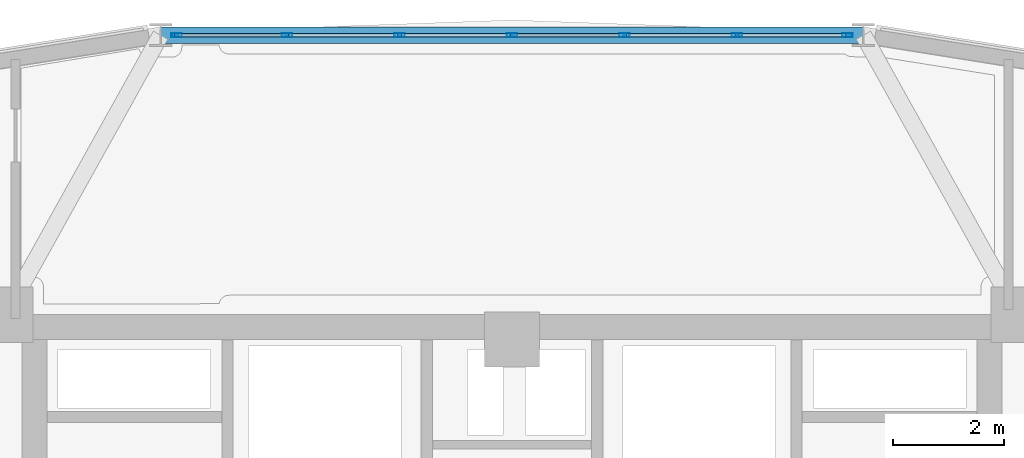
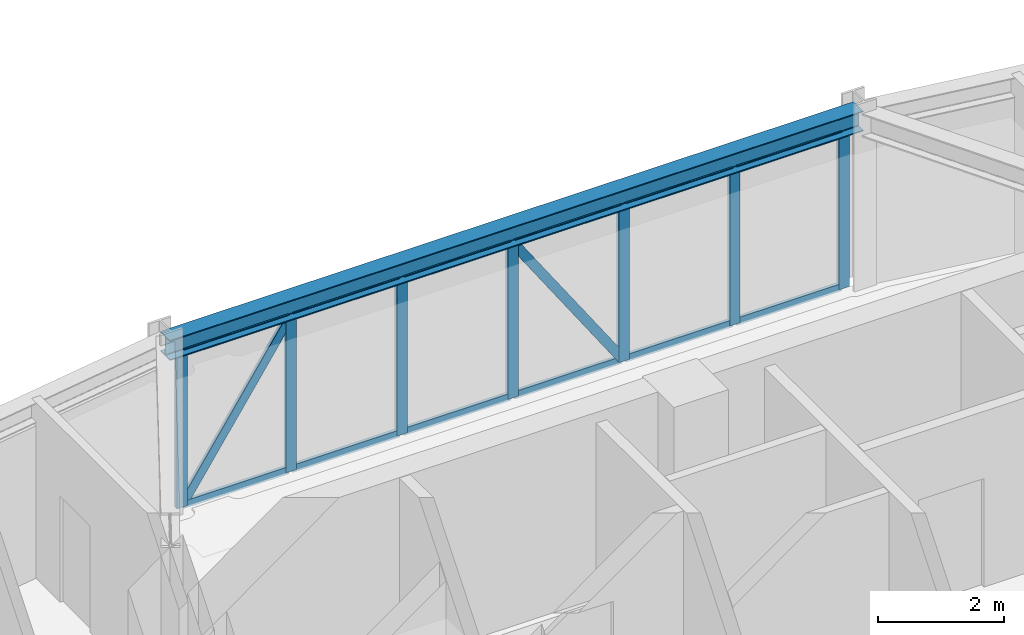
# One storey, part 8 of 14: 21 members, 1 beam, 1 element without a shape of its own.
"""IFC4 building model written with IfcOpenShell, lengths in metres."""

from ifc_helpers import new_model, si_unit, derived_unit, direction, frame, origin, origin_2d, place, context, subcontext, project, spatial, hollow_rectangle, i_section, extrude, source, transform, mapped, material, layer, layer_set, material_profile, profile_set, type_object, element, aggregate, save


model = new_model("IFC4")

# Units and contexts
model_context = context("Model", 3, precision=1e-05, world=origin(), true_north=direction((0.0, 1.0)))
body_context = subcontext(model_context, "Body", "Model", "MODEL_VIEW")
ifc_project = project(units=[si_unit("LENGTHUNIT", "METRE"), si_unit("AREAUNIT", "SQUARE_METRE"), si_unit("VOLUMEUNIT", "CUBIC_METRE"), si_unit("PLANEANGLEUNIT", "RADIAN"), si_unit("MASSUNIT", "GRAM", prefix="KILO"), derived_unit("THERMALTRANSMITTANCEUNIT", [(si_unit("POWERUNIT", "WATT"), 1), (si_unit("LENGTHUNIT", "METRE"), -2), (si_unit("THERMODYNAMICTEMPERATUREUNIT", "KELVIN"), -1)])], contexts=[model_context])

# Site, building, storey
site_placement = place(None, origin())
site = spatial("IfcSite", under=ifc_project, at=site_placement, CompositionType="ELEMENT")
building_placement = place(site_placement, origin())
building = spatial("IfcBuilding", under=site, at=building_placement, Name="Korsvarv Bourse and Concert Hall", CompositionType="ELEMENT")
storey_placement = place(building_placement, frame((0.0, 0.0, 172.199951171875)))
storey = spatial("IfcBuildingStorey", under=building, at=storey_placement, Name="L44", CompositionType="ELEMENT", Elevation=172.199951171875)

# Beam
ifc_material_1 = material(Name="Steel S355", Category="steel")
ifc_material_profile_1 = material_profile(ifc_material_1, i_section(OverallWidth=0.300048828125, OverallDepth=0.389892578125, WebThickness=0.010986328125, FlangeThickness=0.01904296875, FilletRadius=0.02099609375, at=origin_2d()), Name="HEA 400")
ifc_profile_set_1 = profile_set([ifc_material_profile_1], Name="Steel S355")
beam_type = type_object("IfcBeamType", Name="BM-HEA400", PredefinedType="BEAM", material=ifc_profile_set_1)
shared_shape_1 = source(origin(), body_context, "Body", "SweptSolid", [
    extrude(i_section(OverallWidth=0.300048828125, OverallDepth=0.389892578125, WebThickness=0.010986328125, FlangeThickness=0.01904296875, FilletRadius=0.02099609375, at=origin_2d()), origin(), (0.0, 0.0, 1.0), 12.69189453125),
])
beam_placement = place(storey_placement, frame((42.345947265625, 52.2958984375, 3.205078125), z_axis=(-1.0, 0.0, 0.0), x_axis=(0.0, -1.0, 0.0)))
element("IfcBeam", 1, at=beam_placement, inside=storey, type_object=beam_type, Name="L44 beam B-11", PredefinedType="BEAM", context=body_context, shape_type="MappedRepresentation", body=[
    mapped(shared_shape_1, transform((0.0, 0.0, 0.0), scale=1.0)),
])

# Curtain wall, members
ifc_material_2 = material(Name="Anodised aluminium and triple low-E glazing", Category="glass")
ifc_layer = layer(ifc_material_2, 0.199951171875)
ifc_layer_set = layer_set([ifc_layer], Name="Anodised aluminium and triple low-E glazing")
curtain_wall_type = type_object("IfcCurtainWallType", Name="CW-SYS-3", PredefinedType="NOTDEFINED", material=ifc_layer_set)
curtain_wall_placement = place(storey_placement, origin())
curtain_wall = element("IfcCurtainWall", 2, at=curtain_wall_placement, inside=storey, type_object=curtain_wall_type, Name="L44 CW3 curtain wall CW-L44-F03", PredefinedType="NOTDEFINED")
ifc_material_3 = material(Name="Extruded aluminium EN AW-6063 T66", Category="aluminium")
ifc_material_profile_2 = material_profile(ifc_material_3, hollow_rectangle(XDim=0.070068359375, YDim=0.18994140625, WallThickness=0.0048828125, at=origin_2d()), Name="ALU-M 70x190")
ifc_profile_set_2 = profile_set([ifc_material_profile_2], Name="Extruded aluminium EN AW-6063 T66")
member_type_1 = type_object("IfcMemberType", Name="CWM-190", PredefinedType="MULLION", material=ifc_profile_set_2)
shared_shape_2 = source(origin(), body_context, "Body", "SweptSolid", [
    extrude(hollow_rectangle(XDim=0.070068359375, YDim=0.18994140625, WallThickness=0.0048828125, at=origin_2d()), origin(), (0.0, 0.0, 1.0), 3.010009765625),
])
member_1_placement = place(storey_placement, frame((42.05810546875, 52.2958984375, 0.0), z_axis=(0.0, 0.0, 1.0), x_axis=(0.0, -1.0, 0.0)))
member_1 = element("IfcMember", 3, at=member_1_placement, type_object=member_type_1, Name="CW3 mullion 1", PredefinedType="MULLION", context=body_context, shape_type="MappedRepresentation", body=[
    mapped(shared_shape_2, transform((0.0, 0.0, 0.0), scale=1.0)),
])
member_2_placement = place(storey_placement, frame((40.06201171875, 52.2958984375, 0.0), z_axis=(0.0, 0.0, 1.0), x_axis=(0.0, -1.0, 0.0)))
member_2 = element("IfcMember", 4, at=member_2_placement, type_object=member_type_1, Name="CW3 mullion 2", PredefinedType="MULLION", context=body_context, shape_type="MappedRepresentation", body=[
    mapped(shared_shape_2, transform((0.0, 0.0, 0.0), scale=1.0)),
])
member_3_placement = place(storey_placement, frame((38.031005859375, 52.2958984375, 0.0), z_axis=(0.0, 0.0, 1.0), x_axis=(0.0, -1.0, 0.0)))
member_3 = element("IfcMember", 5, at=member_3_placement, type_object=member_type_1, Name="CW3 mullion 3", PredefinedType="MULLION", context=body_context, shape_type="MappedRepresentation", body=[
    mapped(shared_shape_2, transform((0.0, 0.0, 0.0), scale=1.0)),
])
member_4_placement = place(storey_placement, frame((36.0, 52.2958984375, 0.0), z_axis=(0.0, 0.0, 1.0), x_axis=(0.0, -1.0, 0.0)))
member_4 = element("IfcMember", 6, at=member_4_placement, type_object=member_type_1, Name="CW3 mullion 4", PredefinedType="MULLION", context=body_context, shape_type="MappedRepresentation", body=[
    mapped(shared_shape_2, transform((0.0, 0.0, 0.0), scale=1.0)),
])
member_5_placement = place(storey_placement, frame((33.968994140625, 52.2958984375, 0.0), z_axis=(0.0, 0.0, 1.0), x_axis=(0.0, -1.0, 0.0)))
member_5 = element("IfcMember", 7, at=member_5_placement, type_object=member_type_1, Name="CW3 mullion 5", PredefinedType="MULLION", context=body_context, shape_type="MappedRepresentation", body=[
    mapped(shared_shape_2, transform((0.0, 0.0, 0.0), scale=1.0)),
])
member_6_placement = place(storey_placement, frame((31.93798828125, 52.2958984375, 0.0), z_axis=(0.0, 0.0, 1.0), x_axis=(0.0, -1.0, 0.0)))
member_6 = element("IfcMember", 8, at=member_6_placement, type_object=member_type_1, Name="CW3 mullion 6", PredefinedType="MULLION", context=body_context, shape_type="MappedRepresentation", body=[
    mapped(shared_shape_2, transform((0.0, 0.0, 0.0), scale=1.0)),
])
member_7_placement = place(storey_placement, frame((29.94189453125, 52.2958984375, 0.0), z_axis=(0.0, 0.0, 1.0), x_axis=(0.0, -1.0, 0.0)))
member_7 = element("IfcMember", 9, at=member_7_placement, type_object=member_type_1, Name="CW3 mullion 7", PredefinedType="MULLION", context=body_context, shape_type="MappedRepresentation", body=[
    mapped(shared_shape_2, transform((0.0, 0.0, 0.0), scale=1.0)),
])
ifc_material_profile_3 = material_profile(ifc_material_3, hollow_rectangle(XDim=0.06494140625, YDim=0.139892578125, WallThickness=0.00390625, at=origin_2d()), Name="ALU-T 65x140")
ifc_profile_set_3 = profile_set([ifc_material_profile_3], Name="Extruded aluminium EN AW-6063 T66")
member_type_2 = type_object("IfcMemberType", Name="CWT-140", PredefinedType="USERDEFINED", material=ifc_profile_set_3)
shared_shape_3 = source(origin(), body_context, "Body", "SweptSolid", [
    extrude(hollow_rectangle(XDim=0.06494140625, YDim=0.139892578125, WallThickness=0.00390625, at=origin_2d()), origin(), (0.0, 0.0, 1.0), 1.926025390625),
])
member_8_placement = place(storey_placement, frame((42.02294921875, 52.2958984375, 0.032470703125), z_axis=(-1.0, 0.0, 0.0), x_axis=(0.0, -1.0, 0.0)))
member_8 = element("IfcMember", 10, at=member_8_placement, type_object=member_type_2, Name="CW3 transom 1.1", ObjectType="TRANSOM", PredefinedType="USERDEFINED", context=body_context, shape_type="MappedRepresentation", body=[
    mapped(shared_shape_3, transform((0.0, 0.0, 0.0), scale=1.0)),
])
member_9_placement = place(storey_placement, frame((42.02294921875, 52.2958984375, 2.9775390625), z_axis=(-1.0, 0.0, 0.0), x_axis=(0.0, -1.0, 0.0)))
member_9 = element("IfcMember", 11, at=member_9_placement, type_object=member_type_2, Name="CW3 transom 1.2", ObjectType="TRANSOM", PredefinedType="USERDEFINED", context=body_context, shape_type="MappedRepresentation", body=[
    mapped(shared_shape_3, transform((0.0, 0.0, 0.0), scale=1.0)),
])
member_10_placement = place(storey_placement, frame((31.903076171875, 52.2958984375, 0.032470703125), z_axis=(-1.0, 0.0, 0.0), x_axis=(0.0, -1.0, 0.0)))
member_10 = element("IfcMember", 12, at=member_10_placement, type_object=member_type_2, Name="CW3 transom 6.1", ObjectType="TRANSOM", PredefinedType="USERDEFINED", context=body_context, shape_type="MappedRepresentation", body=[
    mapped(shared_shape_3, transform((0.0, 0.0, 0.0), scale=1.0)),
])
member_11_placement = place(storey_placement, frame((31.903076171875, 52.2958984375, 2.9775390625), z_axis=(-1.0, 0.0, 0.0), x_axis=(0.0, -1.0, 0.0)))
member_11 = element("IfcMember", 13, at=member_11_placement, type_object=member_type_2, Name="CW3 transom 6.2", ObjectType="TRANSOM", PredefinedType="USERDEFINED", context=body_context, shape_type="MappedRepresentation", body=[
    mapped(shared_shape_3, transform((0.0, 0.0, 0.0), scale=1.0)),
])
shared_shape_4 = source(origin(), body_context, "Body", "SweptSolid", [
    extrude(hollow_rectangle(XDim=0.06494140625, YDim=0.139892578125, WallThickness=0.00390625, at=origin_2d()), origin(), (0.0, 0.0, 1.0), 1.961181640625),
])
member_12_placement = place(storey_placement, frame((40.027099609375, 52.2958984375, 0.032470703125), z_axis=(-1.0, 0.0, 0.0), x_axis=(0.0, -1.0, 0.0)))
member_12 = element("IfcMember", 14, at=member_12_placement, type_object=member_type_2, Name="CW3 transom 2.1", ObjectType="TRANSOM", PredefinedType="USERDEFINED", context=body_context, shape_type="MappedRepresentation", body=[
    mapped(shared_shape_4, transform((0.0, 0.0, 0.0), scale=1.0)),
])
member_13_placement = place(storey_placement, frame((40.027099609375, 52.2958984375, 2.9775390625), z_axis=(-1.0, 0.0, 0.0), x_axis=(0.0, -1.0, 0.0)))
member_13 = element("IfcMember", 15, at=member_13_placement, type_object=member_type_2, Name="CW3 transom 2.2", ObjectType="TRANSOM", PredefinedType="USERDEFINED", context=body_context, shape_type="MappedRepresentation", body=[
    mapped(shared_shape_4, transform((0.0, 0.0, 0.0), scale=1.0)),
])
member_14_placement = place(storey_placement, frame((37.99609375, 52.2958984375, 0.032470703125), z_axis=(-1.0, 0.0, 0.0), x_axis=(0.0, -1.0, 0.0)))
member_14 = element("IfcMember", 16, at=member_14_placement, type_object=member_type_2, Name="CW3 transom 3.1", ObjectType="TRANSOM", PredefinedType="USERDEFINED", context=body_context, shape_type="MappedRepresentation", body=[
    mapped(shared_shape_4, transform((0.0, 0.0, 0.0), scale=1.0)),
])
member_15_placement = place(storey_placement, frame((37.99609375, 52.2958984375, 2.9775390625), z_axis=(-1.0, 0.0, 0.0), x_axis=(0.0, -1.0, 0.0)))
member_15 = element("IfcMember", 17, at=member_15_placement, type_object=member_type_2, Name="CW3 transom 3.2", ObjectType="TRANSOM", PredefinedType="USERDEFINED", context=body_context, shape_type="MappedRepresentation", body=[
    mapped(shared_shape_4, transform((0.0, 0.0, 0.0), scale=1.0)),
])
member_16_placement = place(storey_placement, frame((35.965087890625, 52.2958984375, 0.032470703125), z_axis=(-1.0, 0.0, 0.0), x_axis=(0.0, -1.0, 0.0)))
member_16 = element("IfcMember", 18, at=member_16_placement, type_object=member_type_2, Name="CW3 transom 4.1", ObjectType="TRANSOM", PredefinedType="USERDEFINED", context=body_context, shape_type="MappedRepresentation", body=[
    mapped(shared_shape_4, transform((0.0, 0.0, 0.0), scale=1.0)),
])
member_17_placement = place(storey_placement, frame((35.965087890625, 52.2958984375, 2.9775390625), z_axis=(-1.0, 0.0, 0.0), x_axis=(0.0, -1.0, 0.0)))
member_17 = element("IfcMember", 19, at=member_17_placement, type_object=member_type_2, Name="CW3 transom 4.2", ObjectType="TRANSOM", PredefinedType="USERDEFINED", context=body_context, shape_type="MappedRepresentation", body=[
    mapped(shared_shape_4, transform((0.0, 0.0, 0.0), scale=1.0)),
])
member_18_placement = place(storey_placement, frame((33.93408203125, 52.2958984375, 0.032470703125), z_axis=(-1.0, 0.0, 0.0), x_axis=(0.0, -1.0, 0.0)))
member_18 = element("IfcMember", 20, at=member_18_placement, type_object=member_type_2, Name="CW3 transom 5.1", ObjectType="TRANSOM", PredefinedType="USERDEFINED", context=body_context, shape_type="MappedRepresentation", body=[
    mapped(shared_shape_4, transform((0.0, 0.0, 0.0), scale=1.0)),
])
member_19_placement = place(storey_placement, frame((33.93408203125, 52.2958984375, 2.9775390625), z_axis=(-1.0, 0.0, 0.0), x_axis=(0.0, -1.0, 0.0)))
member_19 = element("IfcMember", 21, at=member_19_placement, type_object=member_type_2, Name="CW3 transom 5.2", ObjectType="TRANSOM", PredefinedType="USERDEFINED", context=body_context, shape_type="MappedRepresentation", body=[
    mapped(shared_shape_4, transform((0.0, 0.0, 0.0), scale=1.0)),
])
ifc_material_profile_4 = material_profile(ifc_material_3, hollow_rectangle(XDim=0.06494140625, YDim=0.1650390625, WallThickness=0.0048828125, at=origin_2d()), Name="ALU-M 65x165")
ifc_profile_set_4 = profile_set([ifc_material_profile_4], Name="Extruded aluminium EN AW-6063 T66")
member_type_3 = type_object("IfcMemberType", Name="CWM-165", PredefinedType="MULLION", material=ifc_profile_set_4)
shared_shape_5 = source(origin(), body_context, "Body", "SweptSolid", [
    extrude(hollow_rectangle(XDim=0.06494140625, YDim=0.1650390625, WallThickness=0.0048828125, at=origin_2d()), origin(), (0.0, 0.0, 1.0), 3.484375),
])
member_20_placement = place(storey_placement, frame((37.99609375, 52.2958984375, 0.06494140625), z_axis=(-0.562838849763, 0.0, 0.826566651395), x_axis=(0.0, -1.0, 0.0)))
member_20 = element("IfcMember", 22, at=member_20_placement, type_object=member_type_3, Name="CW3 diagonal mullion 3", PredefinedType="MULLION", context=body_context, shape_type="MappedRepresentation", body=[
    mapped(shared_shape_5, transform((0.0, 0.0, 0.0), scale=1.0)),
])
shared_shape_6 = source(origin(), body_context, "Body", "SweptSolid", [
    extrude(hollow_rectangle(XDim=0.06494140625, YDim=0.1650390625, WallThickness=0.0048828125, at=origin_2d()), origin(), (0.0, 0.0, 1.0), 3.46484375),
])
member_21_placement = place(storey_placement, frame((29.97705078125, 52.2958984375, 0.06494140625), z_axis=(0.555886670948, 0.0, 0.831258088119), x_axis=(0.0, 1.0, 0.0)))
member_21 = element("IfcMember", 23, at=member_21_placement, type_object=member_type_3, Name="CW3 diagonal mullion 6", PredefinedType="MULLION", context=body_context, shape_type="MappedRepresentation", body=[
    mapped(shared_shape_6, transform((0.0, 0.0, 0.0), scale=1.0)),
])
aggregate(curtain_wall, [member_1, member_2, member_3, member_4, member_5, member_6, member_7, member_8, member_9, member_12, member_13, member_14, member_15, member_20, member_16, member_17, member_18, member_19, member_10, member_11, member_21])

save(model, "model.ifc")
